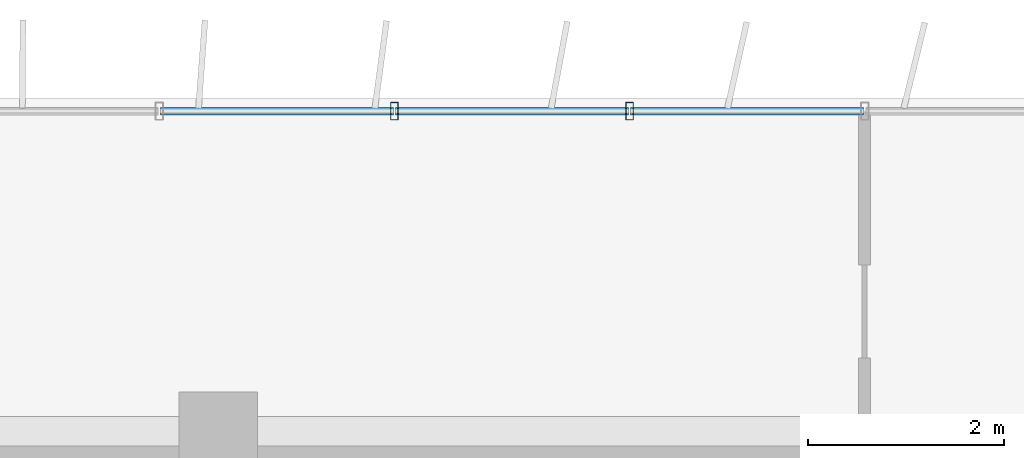
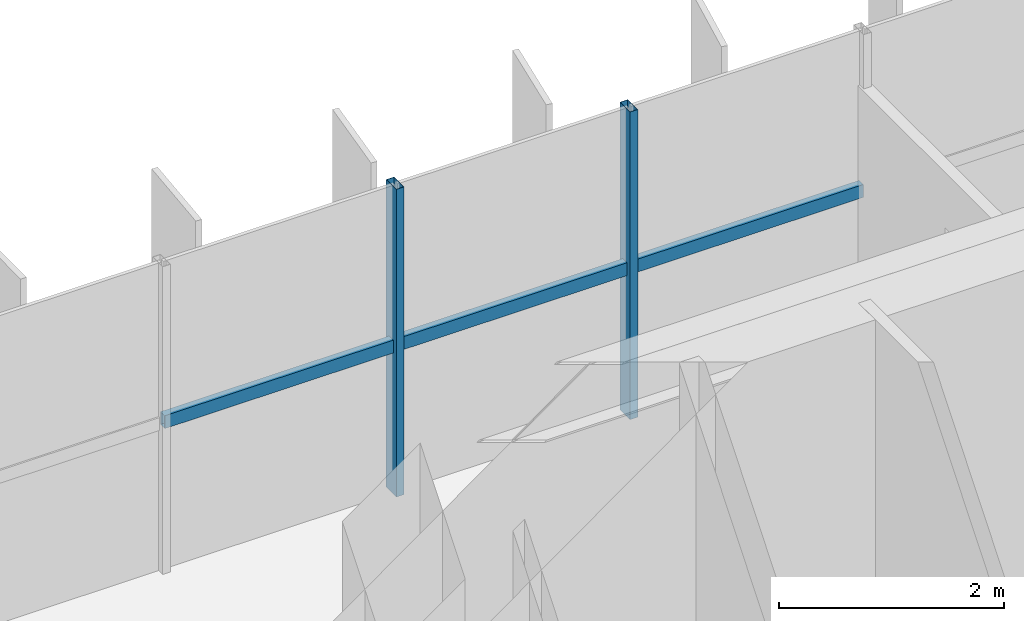
# One storey, part 7 of 22: 5 members, 1 element without a shape of its own.
"""IFC4 building model written with IfcOpenShell, lengths in metres."""

from ifc_helpers import new_model, si_unit, direction, frame, origin, origin_2d, place, context, subcontext, project, spatial, hollow_rectangle, extrude, source, transform, mapped, material, material_profile, profile_set, type_object, element, aggregate, save


model = new_model("IFC4")

# Units and contexts
model_context = context("Model", 3, precision=1e-05, world=origin(), true_north=direction((0.0, 1.0)))
body_context = subcontext(model_context, "Body", "Model", "MODEL_VIEW")
ifc_project = project(units=[si_unit("LENGTHUNIT", "METRE"), si_unit("AREAUNIT", "SQUARE_METRE"), si_unit("VOLUMEUNIT", "CUBIC_METRE"), si_unit("PLANEANGLEUNIT", "RADIAN"), si_unit("MASSUNIT", "GRAM", prefix="KILO")], contexts=[model_context])

# Site, building, storey
site_placement = place(None, origin())
site = spatial("IfcSite", under=ifc_project, at=site_placement, CompositionType="ELEMENT")
building_placement = place(site_placement, origin())
building = spatial("IfcBuilding", under=site, at=building_placement, Name="Trelvane Seafront Commons", CompositionType="ELEMENT")
storey_placement = place(building_placement, frame((0.0, 0.0, 99.699951171875)))
storey = spatial("IfcBuildingStorey", under=building, at=storey_placement, Name="L25", CompositionType="ELEMENT", Elevation=99.699951171875)

# Curtain wall, members
ifc_material = material(Name="Anodised pale-silver aluminium", Category="aluminium")
curtain_wall_type = type_object("IfcCurtainWallType", Name="ARCH-CW4-SKYLOBBY", PredefinedType="NOTDEFINED", material=ifc_material)
curtain_wall_placement = place(storey_placement, origin())
curtain_wall = element("IfcCurtainWall", 1, at=curtain_wall_placement, inside=storey, type_object=curtain_wall_type, Name="CW-L25-0050", PredefinedType="NOTDEFINED")
ifc_material_profile_1 = material_profile(ifc_material, hollow_rectangle(XDim=0.074951171875, YDim=0.139892578125, WallThickness=0.00390625, at=origin_2d()), Name="TRAN-75x140x4")
ifc_profile_set_1 = profile_set([ifc_material_profile_1], Name="Anodised pale-silver aluminium")
member_type_1 = type_object("IfcMemberType", Name="ARCH-CW-TRAN-140", PredefinedType="USERDEFINED", material=ifc_profile_set_1)
shared_shape_1 = source(origin(), body_context, "Body", "SweptSolid", [
    extrude(hollow_rectangle(XDim=0.074951171875, YDim=0.139892578125, WallThickness=0.00390625, at=origin_2d()), origin(), (0.0, 0.0, 1.0), 2.3759765625),
])
member_1_placement = place(storey_placement, frame((30.011962890625, 48.3701171875, 1.60302734375), z_axis=(1.0, 0.0, 0.0), x_axis=(0.0, 1.0, 0.0)))
member_1 = element("IfcMember", 2, at=member_1_placement, type_object=member_type_1, Name="CW-L25-0050-T06", ObjectType="TRANSOM", PredefinedType="USERDEFINED", context=body_context, shape_type="MappedRepresentation", body=[
    mapped(shared_shape_1, transform((0.0, 0.0, 0.0), x_axis=(1.0, 0.0, 0.0), y_axis=(0.0, 1.0, 0.0), z_axis=(0.0, 0.0, 1.0), scale=1.0)),
])
member_2_placement = place(storey_placement, frame((32.412109375, 48.3701171875, 1.60302734375), z_axis=(1.0, 0.0, 0.0), x_axis=(0.0, 1.0, 0.0)))
member_2 = element("IfcMember", 3, at=member_2_placement, type_object=member_type_1, Name="CW-L25-0050-T07", ObjectType="TRANSOM", PredefinedType="USERDEFINED", context=body_context, shape_type="MappedRepresentation", body=[
    mapped(shared_shape_1, transform((0.0, 0.0, 0.0), x_axis=(1.0, 0.0, 0.0), y_axis=(0.0, 1.0, 0.0), z_axis=(0.0, 0.0, 1.0), scale=1.0)),
])
member_3_placement = place(storey_placement, frame((34.81201171875, 48.3701171875, 1.60302734375), z_axis=(1.0, 0.0, 0.0), x_axis=(0.0, 1.0, 0.0)))
member_3 = element("IfcMember", 4, at=member_3_placement, type_object=member_type_1, Name="CW-L25-0050-T08", ObjectType="TRANSOM", PredefinedType="USERDEFINED", context=body_context, shape_type="MappedRepresentation", body=[
    mapped(shared_shape_1, transform((0.0, 0.0, 0.0), x_axis=(1.0, 0.0, 0.0), y_axis=(0.0, 1.0, 0.0), z_axis=(0.0, 0.0, 1.0), scale=1.0)),
])
ifc_material_profile_2 = material_profile(ifc_material, hollow_rectangle(XDim=0.080078125, YDim=0.179931640625, WallThickness=0.00439453125, at=origin_2d()), Name="MULL-80x180x4.5")
ifc_profile_set_2 = profile_set([ifc_material_profile_2], Name="Anodised pale-silver aluminium")
member_type_2 = type_object("IfcMemberType", Name="ARCH-CW-MULL-180", PredefinedType="MULLION", material=ifc_profile_set_2)
shared_shape_2 = source(origin(), body_context, "Body", "SweptSolid", [
    extrude(hollow_rectangle(XDim=0.080078125, YDim=0.179931640625, WallThickness=0.00439453125, at=origin_2d()), origin(), (0.0, 0.0, 1.0), 3.340087890625),
])
member_4_placement = place(storey_placement, frame((32.39990234375, 48.3701171875, 0.0), z_axis=(0.0, 0.0, 1.0), x_axis=(1.0, 0.0, 0.0)))
member_4 = element("IfcMember", 5, at=member_4_placement, type_object=member_type_2, Name="CW-L25-0050-M07", PredefinedType="MULLION", context=body_context, shape_type="MappedRepresentation", body=[
    mapped(shared_shape_2, transform((0.0, 0.0, 0.0), x_axis=(1.0, 0.0, 0.0), y_axis=(0.0, 1.0, 0.0), z_axis=(0.0, 0.0, 1.0), scale=1.0)),
])
member_5_placement = place(storey_placement, frame((34.800048828125, 48.3701171875, 0.0), z_axis=(0.0, 0.0, 1.0), x_axis=(1.0, 0.0, 0.0)))
member_5 = element("IfcMember", 6, at=member_5_placement, type_object=member_type_2, Name="CW-L25-0050-M08", PredefinedType="MULLION", context=body_context, shape_type="MappedRepresentation", body=[
    mapped(shared_shape_2, transform((0.0, 0.0, 0.0), x_axis=(1.0, 0.0, 0.0), y_axis=(0.0, 1.0, 0.0), z_axis=(0.0, 0.0, 1.0), scale=1.0)),
])
aggregate(curtain_wall, [member_4, member_5, member_1, member_2, member_3])

save(model, "model.ifc")
